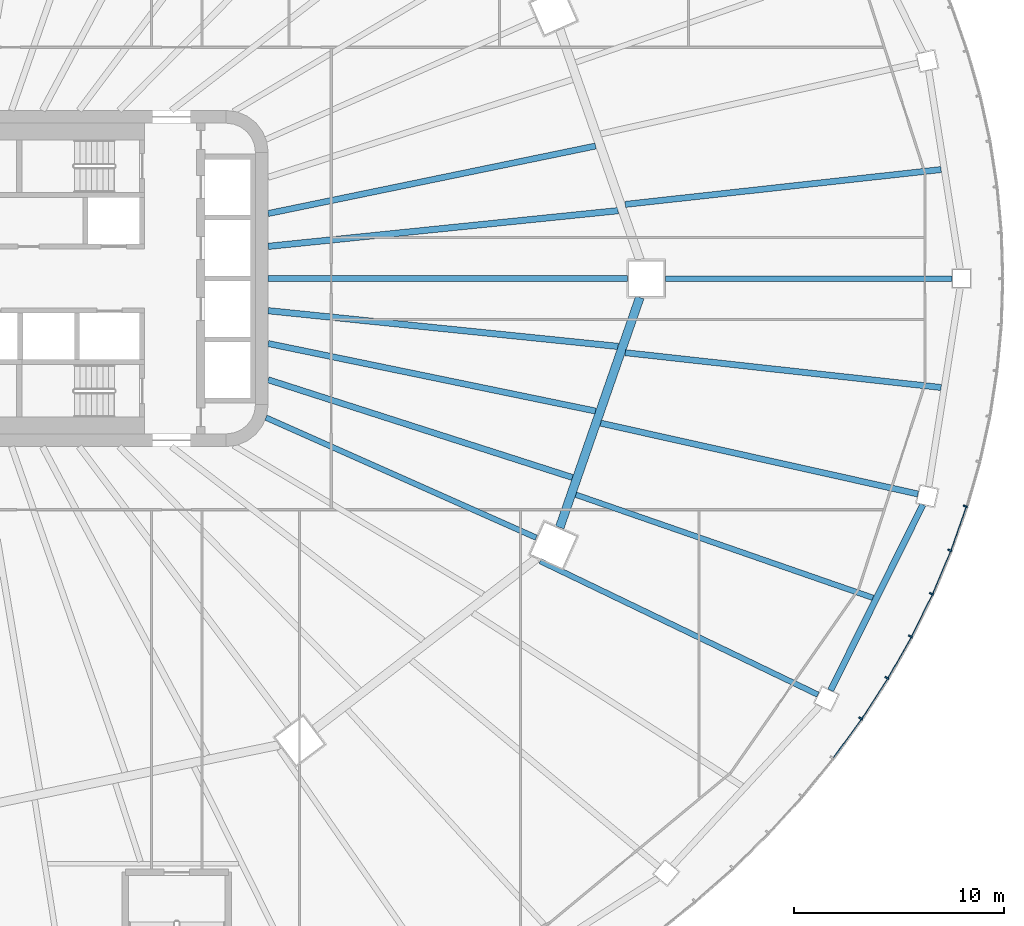
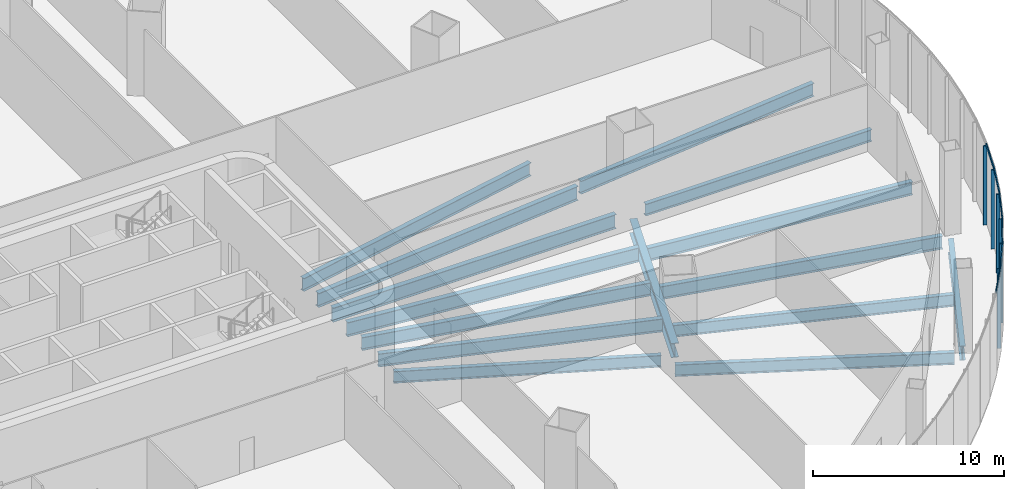
# One storey, part 10 of 42: 15 beams, 12 members, 3 elements without a shape of their own.
"""IFC4 building model written with IfcOpenShell, lengths in metres."""

from ifc_helpers import new_model, si_unit, direction, frame, origin, origin_2d, place, context, subcontext, project, spatial, rectangle, i_section, extrude, material, layer, layer_set, material_profile, profile_set, type_object, element, aggregate, save


model = new_model("IFC4")

# Units and contexts
model_context = context("Model", 3, precision=1e-05, world=origin(), true_north=direction((0.0, 1.0)))
body_context = subcontext(model_context, "Body", "Model", "MODEL_VIEW")
ifc_project = project(units=[si_unit("LENGTHUNIT", "METRE"), si_unit("AREAUNIT", "SQUARE_METRE"), si_unit("VOLUMEUNIT", "CUBIC_METRE"), si_unit("PLANEANGLEUNIT", "RADIAN"), si_unit("MASSUNIT", "GRAM", prefix="KILO")], contexts=[model_context])

# Site, building, storey
site_placement = place(None, origin())
site = spatial("IfcSite", under=ifc_project, at=site_placement, CompositionType="ELEMENT")
building_placement = place(site_placement, origin())
building = spatial("IfcBuilding", under=site, at=building_placement, Name="Sahrelin Media Tower", CompositionType="ELEMENT")
storey_placement = place(building_placement, frame((0.0, 0.0, 26.0)))
storey = spatial("IfcBuildingStorey", under=building, at=storey_placement, Name="L03", CompositionType="ELEMENT", Elevation=26.0)

# Curtain wall, members
ifc_material_1 = material(Name="Champagne anodised aluminium 6063-T6", Category="aluminium")
ifc_layer = layer(ifc_material_1, 0.14990234375)
ifc_layer_set = layer_set([ifc_layer], Name="Podium ribbon curtain wall")
curtain_wall_type = type_object("IfcCurtainWallType", Name="Podium ribbon curtain wall", PredefinedType="NOTDEFINED", material=ifc_layer_set)
curtain_wall_1_placement = place(storey_placement, frame((43.30126953125, -21.0, 0.0), z_axis=(0.0, 0.0, 1.0), x_axis=(1.0, 0.0, 0.0)))
curtain_wall_1 = element("IfcCurtainWall", 1, at=curtain_wall_1_placement, inside=storey, type_object=curtain_wall_type, Name="L03:CW:L03-P22", PredefinedType="NOTDEFINED")
ifc_material_profile_1 = material_profile(ifc_material_1, rectangle(XDim=0.080078125, YDim=0.199951171875, at=origin_2d()), Name="Mullion 80x200")
ifc_profile_set_1 = profile_set([ifc_material_profile_1], Name="Champagne anodised aluminium 6063-T6")
member_type_1 = type_object("IfcMemberType", Name="Mullion 80x200 CW5", PredefinedType="MULLION", material=ifc_profile_set_1)
member_1_placement = place(storey_placement, frame((43.200439453125, -20.934814453125, 0.0), z_axis=(0.0, 0.0, 1.0), x_axis=(0.542830032192, 0.839842578196, 0.0)))
member_1 = element("IfcMember", 2, at=member_1_placement, type_object=member_type_1, Name="L03:CWM1:L03-P22", PredefinedType="MULLION", context=body_context, shape_type="SweptSolid", body=[
    extrude(rectangle(XDim=0.080078125, YDim=0.199951171875, at=origin_2d()), origin(), (0.0, 0.0, 1.0), 5.050048828125),
])
member_2_placement = place(storey_placement, frame((44.446044921875, -19.00830078125, 0.0), z_axis=(0.0, 0.0, 1.0), x_axis=(0.493787068155, 0.869582849028, 0.0)))
member_2 = element("IfcMember", 3, at=member_2_placement, type_object=member_type_1, Name="L03:CWM2:L03-P22", PredefinedType="MULLION", context=body_context, shape_type="SweptSolid", body=[
    extrude(rectangle(XDim=0.080078125, YDim=0.199951171875, at=origin_2d()), origin(), (0.0, 0.0, 1.0), 5.050048828125),
])
member_3_placement = place(storey_placement, frame((45.569580078125, -17.02978515625, 0.0), z_axis=(0.0, 0.0, 1.0), x_axis=(0.442262079274, 0.896885864108, 0.0)))
member_3 = element("IfcMember", 4, at=member_3_placement, type_object=member_type_1, Name="L03:CWM3:L03-P22", PredefinedType="MULLION", context=body_context, shape_type="SweptSolid", body=[
    extrude(rectangle(XDim=0.080078125, YDim=0.199951171875, at=origin_2d()), origin(), (0.0, 0.0, 1.0), 5.050048828125),
])
member_4_placement = place(storey_placement, frame((46.568359375, -15.0048828125, 0.0), z_axis=(0.0, 0.0, 1.0), x_axis=(0.388450189752, 0.921469722824, 0.0)))
member_4 = element("IfcMember", 5, at=member_4_placement, type_object=member_type_1, Name="L03:CWM4:L03-P22", PredefinedType="MULLION", context=body_context, shape_type="SweptSolid", body=[
    extrude(rectangle(XDim=0.080078125, YDim=0.199951171875, at=origin_2d()), origin(), (0.0, 0.0, 1.0), 5.050048828125),
])
member_5_placement = place(storey_placement, frame((47.439697265625, -12.938720703125, 0.0), z_axis=(0.0, 0.0, 1.0), x_axis=(0.332579242691, 0.943075313711, 0.0)))
member_5 = element("IfcMember", 6, at=member_5_placement, type_object=member_type_1, Name="L03:CWM5:L03-P22", PredefinedType="MULLION", context=body_context, shape_type="SweptSolid", body=[
    extrude(rectangle(XDim=0.080078125, YDim=0.199951171875, at=origin_2d()), origin(), (0.0, 0.0, 1.0), 5.050048828125),
])

# Curtain wall, member
curtain_wall_2_placement = place(storey_placement, frame((48.29638671875, -10.870361328125, 0.0), z_axis=(0.0, 0.0, 1.0), x_axis=(1.0, 0.0, 0.0)))
curtain_wall_2 = element("IfcCurtainWall", 7, at=curtain_wall_2_placement, inside=storey, type_object=curtain_wall_type, Name="L03:CW:L03-P23", PredefinedType="NOTDEFINED")
member_6_placement = place(storey_placement, frame((48.180908203125, -10.83740234375, 0.0), z_axis=(0.0, 0.0, 1.0), x_axis=(0.274810138831, 0.961498511489, 0.0)))
member_6 = element("IfcMember", 8, at=member_6_placement, type_object=member_type_1, Name="L03:CWM1:L03-P23", PredefinedType="MULLION", context=body_context, shape_type="SweptSolid", body=[
    extrude(rectangle(XDim=0.080078125, YDim=0.199951171875, at=origin_2d()), origin(), (0.0, 0.0, 1.0), 5.050048828125),
])
aggregate(curtain_wall_2, [member_6])

# Beams
ifc_material_2 = material(Name="Steel S355", Category="steel")
ifc_material_profile_2 = material_profile(ifc_material_2, i_section(OverallWidth=0.30322265625, OverallDepth=0.903076171875, WebThickness=0.01513671875, FlangeThickness=0.020263671875, FilletRadius=0.01904296875, at=origin_2d()), Name="UB 914x305x201")
ifc_profile_set_2 = profile_set([ifc_material_profile_2], Name="Steel S355")
beam_type_1 = type_object("IfcBeamType", Name="Podium edge girder PE11", PredefinedType="BEAM", material=ifc_profile_set_2)
beam_1_placement = place(storey_placement, frame((41.76953125, -19.596923828125, -0.651611328125), z_axis=(0.445112588569, 0.895474613541, 0.0), x_axis=(-0.895474613541, 0.445112588569, 0.0)))
element("IfcBeam", 9, at=beam_1_placement, inside=storey, type_object=beam_type_1, Name="Podium edge girder L03-23", PredefinedType="BEAM", context=body_context, shape_type="SweptSolid", body=[
    extrude(i_section(OverallWidth=0.30322265625, OverallDepth=0.903076171875, WebThickness=0.01513671875, FlangeThickness=0.020263671875, FilletRadius=0.01904296875, at=origin_2d()), origin(), (0.0, 0.0, 1.0), 9.859619140625),
])
ifc_material_profile_3 = material_profile(ifc_material_2, i_section(OverallWidth=0.41845703125, OverallDepth=0.911865234375, WebThickness=0.019287109375, FlangeThickness=0.031982421875, FilletRadius=0.024169921875, at=origin_2d()), Name="UB 914x419x343")
ifc_profile_set_3 = profile_set([ifc_material_profile_3], Name="Steel S355")
beam_type_2 = type_object("IfcBeamType", Name="Podium ring girder PG12", PredefinedType="BEAM", material=ifc_profile_set_3)
beam_2_placement = place(storey_placement, frame((28.875732421875, -11.84716796875, -0.656005859375), z_axis=(0.328773851324, 0.944408679908, 0.0), x_axis=(-0.944408679908, 0.328773851324, 0.0)))
element("IfcBeam", 10, at=beam_2_placement, inside=storey, type_object=beam_type_2, Name="Podium girder L03-12", PredefinedType="BEAM", context=body_context, shape_type="SweptSolid", body=[
    extrude(i_section(OverallWidth=0.41845703125, OverallDepth=0.911865234375, WebThickness=0.019287109375, FlangeThickness=0.031982421875, FilletRadius=0.024169921875, at=origin_2d()), origin(), (0.0, 0.0, 1.0), 11.591552734375),
])
ifc_material_profile_4 = material_profile(ifc_material_2, i_section(OverallWidth=0.291748046875, OverallDepth=0.8349609375, WebThickness=0.013916015625, FlangeThickness=0.018798828125, FilletRadius=0.017822265625, at=origin_2d()), Name="UB 838x292x176")
ifc_profile_set_4 = profile_set([ifc_material_profile_4], Name="Steel S355")
beam_type_3 = type_object("IfcBeamType", Name="Radial primary beam PB10", PredefinedType="BEAM", material=ifc_profile_set_4)
for number, where, z_axis, x_axis, name in (
    (11, (15.0, 3.093505859375, -0.617431640625), (0.979386832716, 0.201993643221, 0.0), (-0.201993643221, 0.979386832716, 0.0), "Radial beam L03-02"),
    (12, (15.0, -3.093505859375, -0.617431640625), (0.979386832716, -0.201993643221, 0.0), (0.201993643221, 0.979386832716, 0.0), "Radial beam L03-24"),
):
    element("IfcBeam", number, at=place(storey_placement, frame(where, z_axis=z_axis, x_axis=x_axis)), inside=storey, type_object=beam_type_3, Name=name, PredefinedType="BEAM", context=body_context, shape_type="SweptSolid", body=[
        extrude(i_section(OverallWidth=0.291748046875, OverallDepth=0.8349609375, WebThickness=0.013916015625, FlangeThickness=0.018798828125, FilletRadius=0.017822265625, at=origin_2d()), origin(), (0.0, 0.0, 1.0), 15.91064453125),
    ])
beam_3_placement = place(storey_placement, frame((30.825439453125, -6.883056640625, -0.617431640625), z_axis=(0.975966755314, -0.217919463385, 0.0), x_axis=(0.217919463385, 0.975966755314, 0.0)))
element("IfcBeam", 13, at=beam_3_placement, inside=storey, type_object=beam_type_3, Name="Radial beam L03-28", PredefinedType="BEAM", context=body_context, shape_type="SweptSolid", body=[
    extrude(i_section(OverallWidth=0.291748046875, OverallDepth=0.8349609375, WebThickness=0.013916015625, FlangeThickness=0.018798828125, FilletRadius=0.017822265625, at=origin_2d()), origin(), (0.0, 0.0, 1.0), 15.4716796875),
])
ifc_material_profile_5 = material_profile(ifc_material_2, i_section(OverallWidth=0.30322265625, OverallDepth=0.903076171875, WebThickness=0.01513671875, FlangeThickness=0.020263671875, FilletRadius=0.01904296875, at=origin_2d()), Name="UB 914x305x201")
ifc_profile_set_5 = profile_set([ifc_material_profile_5], Name="Steel S355")
beam_type_4 = type_object("IfcBeamType", Name="Radial primary beam PB11", PredefinedType="BEAM", material=ifc_profile_set_5)
beam_4_placement = place(storey_placement, frame((15.0, 0.0, -0.651611328125), z_axis=(1.0, 0.0, 0.0), x_axis=(0.0, 1.0, 0.0)))
element("IfcBeam", 14, at=beam_4_placement, inside=storey, type_object=beam_type_4, Name="Radial beam L03-01", PredefinedType="BEAM", context=body_context, shape_type="SweptSolid", body=[
    extrude(i_section(OverallWidth=0.30322265625, OverallDepth=0.903076171875, WebThickness=0.01513671875, FlangeThickness=0.020263671875, FilletRadius=0.01904296875, at=origin_2d()), origin(), (0.0, 0.0, 1.0), 17.10009765625),
])
ifc_material_profile_6 = material_profile(ifc_material_2, i_section(OverallWidth=0.26513671875, OverallDepth=0.75390625, WebThickness=0.0126953125, FlangeThickness=0.017578125, FilletRadius=0.0166015625, at=origin_2d()), Name="UB 762x267x147")
ifc_profile_set_6 = profile_set([ifc_material_profile_6], Name="Steel S355")
beam_type_5 = type_object("IfcBeamType", Name="Radial primary beam PB9", PredefinedType="BEAM", material=ifc_profile_set_6)
beam_5_placement = place(storey_placement, frame((14.890625, -6.6171875, -0.576904296875), z_axis=(0.913833000058, -0.406090196883, 0.0), x_axis=(0.406090196883, 0.913833000058, 0.0)))
element("IfcBeam", 15, at=beam_5_placement, inside=storey, type_object=beam_type_5, Name="Radial beam L03-23", PredefinedType="BEAM", context=body_context, shape_type="SweptSolid", body=[
    extrude(i_section(OverallWidth=0.26513671875, OverallDepth=0.75390625, WebThickness=0.0126953125, FlangeThickness=0.017578125, FilletRadius=0.0166015625, at=origin_2d()), origin(), (0.0, 0.0, 1.0), 14.078857421875),
])
beam_6_placement = place(storey_placement, frame((33.89990234375, 0.0, -0.576904296875), z_axis=(1.0, 0.0, 0.0), x_axis=(0.0, 1.0, 0.0)))
element("IfcBeam", 16, at=beam_6_placement, inside=storey, type_object=beam_type_5, Name="Radial beam L03-01", PredefinedType="BEAM", context=body_context, shape_type="SweptSolid", body=[
    extrude(i_section(OverallWidth=0.26513671875, OverallDepth=0.75390625, WebThickness=0.0126953125, FlangeThickness=0.017578125, FilletRadius=0.0166015625, at=origin_2d()), origin(), (0.0, 0.0, 1.0), 13.650146484375),
])
beam_7_placement = place(storey_placement, frame((27.950439453125, -13.44775390625, -0.576904296875), z_axis=(0.901130102072, -0.433548773657, 0.0), x_axis=(0.433548773657, 0.901130102072, 0.0)))
element("IfcBeam", 17, at=beam_7_placement, inside=storey, type_object=beam_type_5, Name="Radial beam L03-27", PredefinedType="BEAM", context=body_context, shape_type="SweptSolid", body=[
    extrude(i_section(OverallWidth=0.26513671875, OverallDepth=0.75390625, WebThickness=0.0126953125, FlangeThickness=0.017578125, FilletRadius=0.0166015625, at=origin_2d()), origin(), (0.0, 0.0, 1.0), 14.6630859375),
])
ifc_material_profile_7 = material_profile(ifc_material_2, i_section(OverallWidth=0.291748046875, OverallDepth=0.8349609375, WebThickness=0.013916015625, FlangeThickness=0.018798828125, FilletRadius=0.017822265625, at=origin_2d()), Name="UB 838x292x176")
ifc_profile_set_7 = profile_set([ifc_material_profile_7], Name="Steel S355")
beam_type_6 = type_object("IfcBeamType", Name="Radial secondary beam SB10", PredefinedType="BEAM", material=ifc_profile_set_7)
beam_8_placement = place(storey_placement, frame((15.0, -4.81787109375, -0.617431640625), z_axis=(0.952096340592, -0.305798231244, 0.0), x_axis=(0.305798231244, 0.952096340592, 0.0)))
element("IfcBeam", 18, at=beam_8_placement, inside=storey, type_object=beam_type_6, Name="Secondary beam L03-23", PredefinedType="BEAM", context=body_context, shape_type="SweptSolid", body=[
    extrude(i_section(OverallWidth=0.291748046875, OverallDepth=0.8349609375, WebThickness=0.013916015625, FlangeThickness=0.018798828125, FilletRadius=0.017822265625, at=origin_2d()), origin(), (0.0, 0.0, 1.0), 15.210693359375),
])
for number, where, z_axis, x_axis, name in (
    (19, (31.9931640625, 3.528564453125, -0.617431640625), (0.993973950123, 0.109616542901, 0.0), (-0.109616542901, 0.993973950123, 0.0), "Secondary beam L03-01"),
    (20, (31.9931640625, -3.528564453125, -0.617431640625), (0.993973950123, -0.109616542901, 0.0), (0.109616542901, 0.993973950123, 0.0), "Secondary beam L03-24"),
):
    element("IfcBeam", number, at=place(storey_placement, frame(where, z_axis=z_axis, x_axis=x_axis)), inside=storey, type_object=beam_type_6, Name=name, PredefinedType="BEAM", context=body_context, shape_type="SweptSolid", body=[
        extrude(i_section(OverallWidth=0.291748046875, OverallDepth=0.8349609375, WebThickness=0.013916015625, FlangeThickness=0.018798828125, FilletRadius=0.017822265625, at=origin_2d()), origin(), (0.0, 0.0, 1.0), 15.125),
    ])
ifc_material_profile_8 = material_profile(ifc_material_2, i_section(OverallWidth=0.30322265625, OverallDepth=0.903076171875, WebThickness=0.01513671875, FlangeThickness=0.020263671875, FilletRadius=0.01904296875, at=origin_2d()), Name="UB 914x305x201")
ifc_profile_set_8 = profile_set([ifc_material_profile_8], Name="Steel S355")
beam_type_7 = type_object("IfcBeamType", Name="Radial secondary beam SB11", PredefinedType="BEAM", material=ifc_profile_set_8)
for number, where, z_axis, x_axis, name in (
    (21, (15.0, 1.53076171875, -0.651611328125), (0.994833571419, 0.10151928476, 0.0), (-0.10151928476, 0.994833571419, 0.0), "Secondary beam L03-01"),
    (22, (15.0, -1.53076171875, -0.651611328125), (0.994833571419, -0.10151928476, 0.0), (0.10151928476, 0.994833571419, 0.0), "Secondary beam L03-24"),
):
    element("IfcBeam", number, at=place(storey_placement, frame(where, z_axis=z_axis, x_axis=x_axis)), inside=storey, type_object=beam_type_7, Name=name, PredefinedType="BEAM", context=body_context, shape_type="SweptSolid", body=[
        extrude(i_section(OverallWidth=0.30322265625, OverallDepth=0.903076171875, WebThickness=0.01513671875, FlangeThickness=0.020263671875, FilletRadius=0.01904296875, at=origin_2d()), origin(), (0.0, 0.0, 1.0), 16.740234375),
    ])
ifc_material_profile_9 = material_profile(ifc_material_2, i_section(OverallWidth=0.26513671875, OverallDepth=0.75390625, WebThickness=0.0126953125, FlangeThickness=0.017578125, FilletRadius=0.0166015625, at=origin_2d()), Name="UB 762x267x147")
ifc_profile_set_9 = profile_set([ifc_material_profile_9], Name="Steel S355")
beam_type_8 = type_object("IfcBeamType", Name="Radial secondary beam SB9", PredefinedType="BEAM", material=ifc_profile_set_9)
beam_9_placement = place(storey_placement, frame((29.640380859375, -10.287109375, -0.576904296875), z_axis=(0.944713020182, -0.32789832189, 0.0), x_axis=(0.32789832189, 0.944713020182, 0.0)))
element("IfcBeam", 23, at=beam_9_placement, inside=storey, type_object=beam_type_8, Name="Secondary beam L03-23", PredefinedType="BEAM", context=body_context, shape_type="SweptSolid", body=[
    extrude(i_section(OverallWidth=0.26513671875, OverallDepth=0.75390625, WebThickness=0.0126953125, FlangeThickness=0.017578125, FilletRadius=0.0166015625, at=origin_2d()), origin(), (0.0, 0.0, 1.0), 14.974609375),
])

# Curtain wall, member
curtain_wall_3_placement = place(storey_placement, frame((35.355224609375, -29.698486328125, 0.0), z_axis=(0.0, 0.0, 1.0), x_axis=(1.0, 0.0, 0.0)))
curtain_wall_3 = element("IfcCurtainWall", 24, at=curtain_wall_3_placement, inside=storey, type_object=curtain_wall_type, Name="L03:CW:L03-P21", PredefinedType="NOTDEFINED")
ifc_material_profile_10 = material_profile(ifc_material_1, rectangle(XDim=0.06005859375, YDim=0.14990234375, at=origin_2d()), Name="Transom 60x150")
ifc_profile_set_10 = profile_set([ifc_material_profile_10], Name="Champagne anodised aluminium 6063-T6")
member_type_2 = type_object("IfcMemberType", Name="Transom 60x150 CW5", PredefinedType="USERDEFINED", material=ifc_profile_set_10)
member_7_placement = place(storey_placement, frame((41.922607421875, -22.804931640625, 5.125), z_axis=(0.589385639376, 0.807851823107, 0.0), x_axis=(-0.807851823107, 0.589385639376, 0.0)))
member_7 = element("IfcMember", 25, at=member_7_placement, type_object=member_type_2, Name="L03:CWT5a:L03-P21", ObjectType="TRANSOM", PredefinedType="USERDEFINED", context=body_context, shape_type="SweptSolid", body=[
    extrude(rectangle(XDim=0.06005859375, YDim=0.14990234375, at=origin_2d()), origin(), (0.0, 0.0, 1.0), 2.270751953125),
])
aggregate(curtain_wall_3, [member_7])

# Member
member_8_placement = place(storey_placement, frame((43.286376953125, -20.930908203125, 5.125), z_axis=(0.542855461476, 0.8398261415, 0.0), x_axis=(-0.8398261415, 0.542855461476, 0.0)))
member_8 = element("IfcMember", 26, at=member_8_placement, type_object=member_type_2, Name="L03:CWT1a:L03-P22", ObjectType="TRANSOM", PredefinedType="USERDEFINED", context=body_context, shape_type="SweptSolid", body=[
    extrude(rectangle(XDim=0.06005859375, YDim=0.14990234375, at=origin_2d()), origin(), (0.0, 0.0, 1.0), 2.2509765625),
])

member_9_placement = place(storey_placement, frame((44.531494140625, -18.99951171875, 5.125), z_axis=(0.49374634774, 0.869605970594, 0.0), x_axis=(-0.869605970594, 0.49374634774, 0.0)))
member_9 = element("IfcMember", 27, at=member_9_placement, type_object=member_type_2, Name="L03:CWT2a:L03-P22", ObjectType="TRANSOM", PredefinedType="USERDEFINED", context=body_context, shape_type="SweptSolid", body=[
    extrude(rectangle(XDim=0.06005859375, YDim=0.14990234375, at=origin_2d()), origin(), (0.0, 0.0, 1.0), 2.232421875),
])

member_10_placement = place(storey_placement, frame((45.654541015625, -17.015869140625, 5.125), z_axis=(0.442313130509, 0.896860688501, 0.0), x_axis=(-0.896860688501, 0.442313130509, 0.0)))
member_10 = element("IfcMember", 28, at=member_10_placement, type_object=member_type_2, Name="L03:CWT3a:L03-P22", ObjectType="TRANSOM", PredefinedType="USERDEFINED", context=body_context, shape_type="SweptSolid", body=[
    extrude(rectangle(XDim=0.06005859375, YDim=0.14990234375, at=origin_2d()), origin(), (0.0, 0.0, 1.0), 2.215087890625),
])

member_11_placement = place(storey_placement, frame((46.65234375, -14.986083984375, 5.125), z_axis=(0.388379521363, 0.921499510247, 0.0), x_axis=(-0.921499510247, 0.388379521363, 0.0)))
member_11 = element("IfcMember", 29, at=member_11_placement, type_object=member_type_2, Name="L03:CWT4a:L03-P22", ObjectType="TRANSOM", PredefinedType="USERDEFINED", context=body_context, shape_type="SweptSolid", body=[
    extrude(rectangle(XDim=0.06005859375, YDim=0.14990234375, at=origin_2d()), origin(), (0.0, 0.0, 1.0), 2.199462890625),
])

member_12_placement = place(storey_placement, frame((47.522216796875, -12.914794921875, 5.125), z_axis=(0.332568838179, 0.943078982839, 0.0), x_axis=(-0.943078982839, 0.332568838179, 0.0)))
member_12 = element("IfcMember", 30, at=member_12_placement, type_object=member_type_2, Name="L03:CWT5a:L03-P22", ObjectType="TRANSOM", PredefinedType="USERDEFINED", context=body_context, shape_type="SweptSolid", body=[
    extrude(rectangle(XDim=0.06005859375, YDim=0.14990234375, at=origin_2d()), origin(), (0.0, 0.0, 1.0), 2.185546875),
])

aggregate(curtain_wall_1, [member_1, member_8, member_2, member_9, member_3, member_10, member_4, member_11, member_5, member_12])

save(model, "model.ifc")
